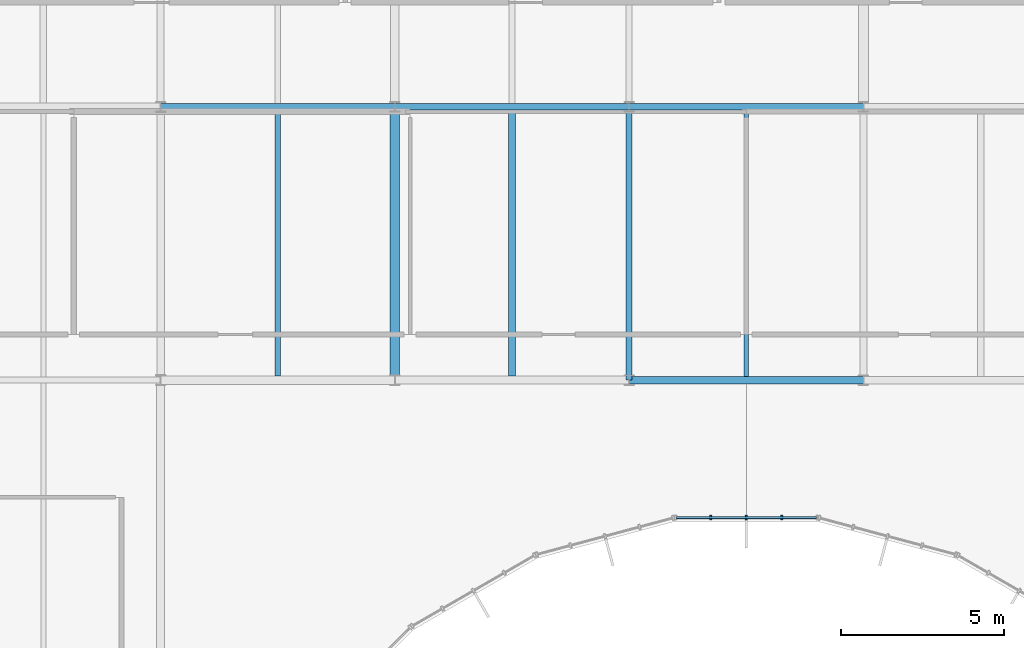
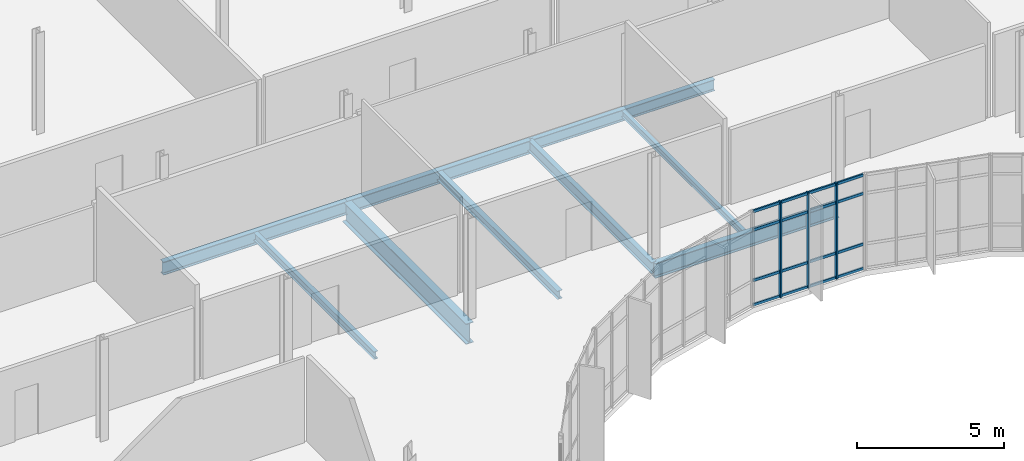
# One storey, part 56 of 119: 9 beams, 7 members, 1 element without a shape of its own.
"""IFC4 building model written with IfcOpenShell, lengths in metres."""

import ifcopenshell
import ifcopenshell.guid

model = None  # the IFC model being written
_history = None  # IfcOwnerHistory: only IFC2X3 demands one
_inside = {}  # id of a spatial element -> (the spatial element, [elements in it])
_under = {}  # id of a project, library or spatial element -> (it, [spatial elements below it])
_declared = {}  # id of a project -> (the project, [libraries it declares])
_typed = {}  # id of a type object -> (the type object, [elements of that type])
_made_of = {}  # id of a material, layer set ... -> (it, [elements and type objects made of it])


def new_model(schema):
    """Start an empty IFC model of exactly this schema.

    Asked for "IFC4X3", IfcOpenShell would pick the latest addendum, in which some entities
    have other attributes; the version numbers below select the first issue.
    IFC2X3 requires an IfcOwnerHistory on every rooted entity: one is made here for all.
    """
    global model, _history
    if schema == "IFC4X3":
        model = ifcopenshell.file(schema_version=(4, 3, 0, 0))
    else:
        model = ifcopenshell.file(schema=schema)
    _inside.clear()
    _under.clear()
    _declared.clear()
    _typed.clear()
    _made_of.clear()
    _history = None
    if model.schema == "IFC2X3":
        org = make("IfcOrganization", Name="unknown")
        user = make(
            "IfcPersonAndOrganization",
            ThePerson=make("IfcPerson", FamilyName="unknown"),
            TheOrganization=org,
        )
        app = make(
            "IfcApplication",
            ApplicationDeveloper=org,
            Version="unknown",
            ApplicationFullName="unknown",
            ApplicationIdentifier="unknown",
        )
        _history = make(
            "IfcOwnerHistory",
            OwningUser=user,
            OwningApplication=app,
            ChangeAction="ADDED",
            CreationDate=0,
        )
    return model


def make(cls, **values):
    """One entity of the class cls with the attributes given. An attribute that is None is left unset."""
    return model.create_entity(
        cls, **{name: value for name, value in values.items() if value is not None}
    )


def rooted(cls, **values):
    """An entity with a GlobalId (a new one), such as an element, a storey or a relation."""
    return make(cls, GlobalId=ifcopenshell.guid.new(), OwnerHistory=_history, **values)


def si_unit(unit_type, name, prefix=None):
    """IfcSIUnit, for example si_unit("LENGTHUNIT", "METRE", prefix="MILLI")."""
    return make("IfcSIUnit", UnitType=unit_type, Prefix=prefix, Name=name)


def assignment(units):
    """IfcUnitAssignment: the units of a project."""
    return None if units is None else make("IfcUnitAssignment", Units=units)


def point(xyz):
    """IfcCartesianPoint."""
    return None if xyz is None else make("IfcCartesianPoint", Coordinates=xyz)


def direction(xyz):
    """IfcDirection."""
    return None if xyz is None else make("IfcDirection", DirectionRatios=xyz)


def frame(location, z_axis=None, x_axis=None):
    """IfcAxis2Placement3D, a coordinate frame: its origin and axes. An axis left out is left unset."""
    return make(
        "IfcAxis2Placement3D",
        Location=point(location),
        Axis=direction(z_axis),
        RefDirection=direction(x_axis),
    )


def frame_2d(location, x_axis=None):
    """IfcAxis2Placement2D, a coordinate frame in the plane: its origin and x axis."""
    return make(
        "IfcAxis2Placement2D", Location=point(location), RefDirection=direction(x_axis)
    )


def origin():
    """The frame at (0, 0, 0) with its axes left unset."""
    return frame((0.0, 0.0, 0.0))


def origin_2d():
    """The frame at (0, 0) in the plane with its x axis left unset."""
    return frame_2d((0.0, 0.0))


def place(relative_to, where):
    """IfcLocalPlacement: puts the frame where relative to a parent placement (None: the world)."""
    return make(
        "IfcLocalPlacement", PlacementRelTo=relative_to, RelativePlacement=where
    )


def context(
    kind, dimensions, precision=None, world=None, true_north=None, identifier=None
):
    """IfcGeometricRepresentationContext, for example the 3D "Model" context."""
    return make(
        "IfcGeometricRepresentationContext",
        ContextIdentifier=identifier,
        ContextType=kind,
        CoordinateSpaceDimension=dimensions,
        Precision=precision,
        WorldCoordinateSystem=world,
        TrueNorth=true_north,
    )


def subcontext(parent, identifier, kind, view, scale=None):
    """IfcGeometricRepresentationSubContext, for example "Body" below "Model"."""
    return make(
        "IfcGeometricRepresentationSubContext",
        ContextIdentifier=identifier,
        ContextType=kind,
        ParentContext=parent,
        TargetScale=scale,
        TargetView=view,
    )


def project(units=None, contexts=None):
    """IfcProject with its units and contexts."""
    return rooted(
        "IfcProject",
        Name="project",
        RepresentationContexts=contexts,
        UnitsInContext=assignment(units),
    )


def spatial(cls, under=None, at=None, **own):
    """A site, building, storey or space (cls), placed at a placement, below another one or the project."""
    s = rooted(cls, ObjectPlacement=at, **own)
    if under is not None:
        _under.setdefault(under.id(), (under, []))[1].append(s)
    return s


def profile(cls, at=None, kind="AREA", **sizes):
    """A parametric profile (cls). Its sizes go by their IFC names, for example OverallWidth=200.0."""
    return make(cls, ProfileType=kind, Position=at, **sizes)


def rectangle(**sizes):
    """IfcRectangleProfileDef."""
    return profile("IfcRectangleProfileDef", **sizes)


def i_section(**sizes):
    """IfcIShapeProfileDef."""
    return profile("IfcIShapeProfileDef", **sizes)


def extrude(swept, where, along, depth):
    """IfcExtrudedAreaSolid: the profile swept, set in the frame where, extruded along a direction by depth."""
    return make(
        "IfcExtrudedAreaSolid",
        SweptArea=swept,
        Position=where,
        ExtrudedDirection=direction(along),
        Depth=depth,
    )


def shape(context_of_items, identifier, shape_type, items):
    """IfcShapeRepresentation: the items that make up one representation, for example the "Body"."""
    return make(
        "IfcShapeRepresentation",
        ContextOfItems=context_of_items,
        RepresentationIdentifier=identifier,
        RepresentationType=shape_type,
        Items=items,
    )


def material(Name=None, Category=None):
    """IfcMaterial."""
    return make("IfcMaterial", Name=Name, Category=Category)


def material_profile(
    of_material, cross_section, Name=None, Category=None, Priority=None
):
    """IfcMaterialProfile: a cross section and its material."""
    return make(
        "IfcMaterialProfile",
        Name=Name,
        Material=of_material,
        Profile=cross_section,
        Priority=Priority,
        Category=Category,
    )


def profile_set(profiles, Name=None, composite=None):
    """IfcMaterialProfileSet."""
    return make(
        "IfcMaterialProfileSet",
        Name=Name,
        MaterialProfiles=profiles,
        CompositeProfile=composite,
    )


def made_of(thing, what):
    """Note that an element or type object is made of a material, layer set ...; save() writes the relation."""
    if what is not None:
        _made_of.setdefault(what.id(), (what, []))[1].append(thing)
    return thing


def type_object(cls, material=None, **own):
    """A type object (cls), such as IfcWallType, which elements share."""
    return made_of(rooted(cls, **own), material)


def element(
    cls,
    number,
    at=None,
    inside=None,
    cuts=None,
    type_object=None,
    material=None,
    context=None,
    identifier="Body",
    shape_type=None,
    held_by="IfcProductDefinitionShape",
    body=None,
    shapes=None,
    **own,
):
    """One element of the class cls, such as IfcWall. Its Tag is "e" and its number.

    at: its placement. inside: the storey or other place that contains it. cuts: it is an
    opening in that element (IfcRelVoidsElement). A single representation is given by context,
    identifier, shape_type and body (its items); several are given by shapes. held_by: the class
    of the entity that holds the representations. save() writes the other relations.
    """
    e = rooted(cls, Tag="e%d" % number, ObjectPlacement=at, **own)
    if body is not None:
        shapes = [shape(context, identifier, shape_type, body)]
    if shapes is not None:
        e.Representation = make(held_by, Representations=shapes)
    if inside is not None:
        _inside.setdefault(inside.id(), (inside, []))[1].append(e)
    if cuts is not None:
        rooted(
            "IfcRelVoidsElement", RelatingBuildingElement=cuts, RelatedOpeningElement=e
        )
    if type_object is not None:
        _typed.setdefault(type_object.id(), (type_object, []))[1].append(e)
    return made_of(e, material)


def aggregate(whole, parts):
    """IfcRelAggregates: a whole, such as a stair, and the parts it consists of."""
    return rooted("IfcRelAggregates", RelatingObject=whole, RelatedObjects=parts)


def save(model, path):
    """Write the relations noted so far, then the file.

    IfcRelAggregates (storeys below a building ...), IfcRelContainedInSpatialStructure (elements
    in a storey), IfcRelDefinesByType, IfcRelAssociatesMaterial and IfcRelDeclares: one each for
    every whole, place, type object, material and project.
    """
    for whole, parts in _under.values():
        aggregate(whole, parts)
    for where, things in _inside.values():
        rooted(
            "IfcRelContainedInSpatialStructure",
            RelatedElements=things,
            RelatingStructure=where,
        )
    for kind, things in _typed.values():
        rooted("IfcRelDefinesByType", RelatedObjects=things, RelatingType=kind)
    for what, things in _made_of.values():
        rooted("IfcRelAssociatesMaterial", RelatedObjects=things, RelatingMaterial=what)
    for by, libraries in _declared.values():
        rooted("IfcRelDeclares", RelatingContext=by, RelatedDefinitions=libraries)
    model.write(path)


model = new_model("IFC4")

# Units and contexts
model_context = context("Model", 3, precision=1e-05, world=origin(), true_north=direction((0.0, 1.0)))
body_context = subcontext(model_context, "Body", "Model", "MODEL_VIEW")
ifc_project = project(units=[si_unit("LENGTHUNIT", "METRE"), si_unit("AREAUNIT", "SQUARE_METRE"), si_unit("VOLUMEUNIT", "CUBIC_METRE"), si_unit("PLANEANGLEUNIT", "RADIAN"), si_unit("MASSUNIT", "GRAM", prefix="KILO")], contexts=[model_context])

# Site, building, storey
site_placement = place(None, origin())
site = spatial("IfcSite", under=ifc_project, at=site_placement, CompositionType="ELEMENT")
building_placement = place(site_placement, origin())
building = spatial("IfcBuilding", under=site, at=building_placement, Name="Qelthora Terrace Specialist Clinic", CompositionType="ELEMENT")
storey_placement = place(building_placement, frame((0.0, 0.0, 4.800048828125)))
storey = spatial("IfcBuildingStorey", under=building, at=storey_placement, Name="L01", CompositionType="ELEMENT", Elevation=4.800048828125)

# Beams
ifc_material_1 = material(Name="Steel S355", Category="steel")
ifc_material_profile_1 = material_profile(ifc_material_1, i_section(OverallWidth=0.19091796875, OverallDepth=0.4599609375, WebThickness=0.010009765625, FlangeThickness=0.01611328125, FilletRadius=0.012939453125, at=origin_2d()), Name="W460X82")
ifc_profile_set_1 = profile_set([ifc_material_profile_1], Name="Steel S355")
beam_type_1 = type_object("IfcBeamType", Name="BM-W460X82", PredefinedType="BEAM", material=ifc_profile_set_1)
beam_1_placement = place(storey_placement, frame((122.39990234375, 84.0, -0.47998046875), z_axis=(0.0, 1.0, 0.0), x_axis=(-1.0, 0.0, 0.0)))
element("IfcBeam", 1, at=beam_1_placement, inside=storey, type_object=beam_type_1, Name="Girder BMY-L01-0498", PredefinedType="BEAM", context=body_context, shape_type="SweptSolid", body=[
    extrude(i_section(OverallWidth=0.19091796875, OverallDepth=0.4599609375, WebThickness=0.010009765625, FlangeThickness=0.01611328125, FilletRadius=0.012939453125, at=origin_2d()), origin(), (0.0, 0.0, 1.0), 8.39990234375),
])
ifc_material_profile_2 = material_profile(ifc_material_1, i_section(OverallWidth=0.193115234375, OverallDepth=0.466064453125, WebThickness=0.011474609375, FlangeThickness=0.01904296875, FilletRadius=0.012939453125, at=origin_2d()), Name="W460X97")
ifc_profile_set_2 = profile_set([ifc_material_profile_2], Name="Steel S355")
beam_type_2 = type_object("IfcBeamType", Name="BM-W460X97", PredefinedType="BEAM", material=ifc_profile_set_2)
beam_2_placement = place(storey_placement, frame((122.39990234375, 92.39990234375, -0.483154296875), z_axis=(1.0, 0.0, 0.0), x_axis=(0.0, 1.0, 0.0)))
element("IfcBeam", 2, at=beam_2_placement, inside=storey, type_object=beam_type_2, Name="Girder BMX-L01-0301", PredefinedType="BEAM", context=body_context, shape_type="SweptSolid", body=[
    extrude(i_section(OverallWidth=0.193115234375, OverallDepth=0.466064453125, WebThickness=0.011474609375, FlangeThickness=0.01904296875, FilletRadius=0.012939453125, at=origin_2d()), origin(), (0.0, 0.0, 1.0), 7.2001953125),
])
ifc_material_profile_3 = material_profile(ifc_material_1, i_section(OverallWidth=0.2099609375, OverallDepth=0.537109375, WebThickness=0.010986328125, FlangeThickness=0.017333984375, FilletRadius=0.013916015625, at=origin_2d()), Name="W530X101")
ifc_profile_set_3 = profile_set([ifc_material_profile_3], Name="Steel S355")
beam_type_3 = type_object("IfcBeamType", Name="BM-W530X101", PredefinedType="BEAM", material=ifc_profile_set_3)
beam_3_placement = place(storey_placement, frame((115.199951171875, 92.39990234375, -0.5185546875), z_axis=(1.0, 0.0, 0.0), x_axis=(0.0, 1.0, 0.0)))
element("IfcBeam", 3, at=beam_3_placement, inside=storey, type_object=beam_type_3, Name="Girder BMX-L01-0300", PredefinedType="BEAM", context=body_context, shape_type="SweptSolid", body=[
    extrude(i_section(OverallWidth=0.2099609375, OverallDepth=0.537109375, WebThickness=0.010986328125, FlangeThickness=0.017333984375, FilletRadius=0.013916015625, at=origin_2d()), origin(), (0.0, 0.0, 1.0), 7.199951171875),
])
ifc_material_profile_4 = material_profile(ifc_material_1, i_section(OverallWidth=0.2119140625, OverallDepth=0.5439453125, WebThickness=0.01318359375, FlangeThickness=0.021240234375, FilletRadius=0.013916015625, at=origin_2d()), Name="W530X123")
ifc_profile_set_4 = profile_set([ifc_material_profile_4], Name="Steel S355")
beam_type_4 = type_object("IfcBeamType", Name="BM-W530X123", PredefinedType="BEAM", material=ifc_profile_set_4)
beam_4_placement = place(storey_placement, frame((108.0, 92.39990234375, -0.52197265625), z_axis=(1.0, 0.0, 0.0), x_axis=(0.0, 1.0, 0.0)))
element("IfcBeam", 4, at=beam_4_placement, inside=storey, type_object=beam_type_4, Name="Girder BMX-L01-0299", PredefinedType="BEAM", context=body_context, shape_type="SweptSolid", body=[
    extrude(i_section(OverallWidth=0.2119140625, OverallDepth=0.5439453125, WebThickness=0.01318359375, FlangeThickness=0.021240234375, FilletRadius=0.013916015625, at=origin_2d()), origin(), (0.0, 0.0, 1.0), 7.199951171875),
])
ifc_material_profile_5 = material_profile(ifc_material_1, i_section(OverallWidth=0.22998046875, OverallDepth=0.616943359375, WebThickness=0.01318359375, FlangeThickness=0.022216796875, FilletRadius=0.01611328125, at=origin_2d()), Name="W610X140")
ifc_profile_set_5 = profile_set([ifc_material_profile_5], Name="Steel S355")
beam_type_5 = type_object("IfcBeamType", Name="BM-W610X140", PredefinedType="BEAM", material=ifc_profile_set_5)
beam_5_placement = place(storey_placement, frame((122.39990234375, 84.0, -0.55859375), z_axis=(1.0, 0.0, 0.0), x_axis=(0.0, 1.0, 0.0)))
element("IfcBeam", 5, at=beam_5_placement, inside=storey, type_object=beam_type_5, Name="Girder BMX-L01-0283", PredefinedType="BEAM", context=body_context, shape_type="SweptSolid", body=[
    extrude(i_section(OverallWidth=0.22998046875, OverallDepth=0.616943359375, WebThickness=0.01318359375, FlangeThickness=0.022216796875, FilletRadius=0.01611328125, at=origin_2d()), origin(), (0.0, 0.0, 1.0), 7.2001953125),
])
ifc_material_profile_6 = material_profile(ifc_material_1, i_section(OverallWidth=0.2939453125, OverallDepth=0.85107421875, WebThickness=0.01611328125, FlangeThickness=0.02685546875, FilletRadius=0.02001953125, at=origin_2d()), Name="W840X226")
ifc_profile_set_6 = profile_set([ifc_material_profile_6], Name="Steel S355")
beam_type_6 = type_object("IfcBeamType", Name="BM-W840X226", PredefinedType="BEAM", material=ifc_profile_set_6)
beam_6_placement = place(storey_placement, frame((115.199951171875, 84.0, -0.675537109375), z_axis=(0.0, 1.0, 0.0), x_axis=(-1.0, 0.0, 0.0)))
element("IfcBeam", 6, at=beam_6_placement, inside=storey, type_object=beam_type_6, Name="Girder BMY-L01-0491", PredefinedType="BEAM", context=body_context, shape_type="SweptSolid", body=[
    extrude(i_section(OverallWidth=0.2939453125, OverallDepth=0.85107421875, WebThickness=0.01611328125, FlangeThickness=0.02685546875, FilletRadius=0.02001953125, at=origin_2d()), origin(), (0.0, 0.0, 1.0), 8.39990234375),
])

# Curtain wall, members
ifc_material_2 = material(Name="Aluminium anodized bronze", Category="aluminium")
curtain_wall_type = type_object("IfcCurtainWallType", Name="CW-CRTE-UPP", PredefinedType="NOTDEFINED", material=ifc_material_2)
curtain_wall_placement = place(storey_placement, origin())
curtain_wall = element("IfcCurtainWall", 7, at=curtain_wall_placement, inside=storey, type_object=curtain_wall_type, Name="Curtain wall CW-CE-L01-06", PredefinedType="NOTDEFINED")
ifc_material_profile_7 = material_profile(ifc_material_2, rectangle(XDim=0.06005859375, YDim=0.14990234375, at=origin_2d()), Name="CWM60X150")
ifc_profile_set_7 = profile_set([ifc_material_profile_7], Name="Aluminium anodized bronze")
member_type_1 = type_object("IfcMemberType", Name="CWM-60X150", PredefinedType="MULLION", material=ifc_profile_set_7)
member_1_placement = place(storey_placement, frame((127.096435546875, 79.7763671875, 0.0), z_axis=(0.0, 0.0, 1.0), x_axis=(-1.0, 0.0, 0.0)))
member_1 = element("IfcMember", 8, at=member_1_placement, type_object=member_type_1, Name="CW-CE-L01-06 mullion 2", PredefinedType="MULLION", context=body_context, shape_type="SweptSolid", body=[
    extrude(rectangle(XDim=0.06005859375, YDim=0.14990234375, at=origin_2d()), origin(), (0.0, 0.0, 1.0), 3.945068359375),
])
member_2_placement = place(storey_placement, frame((126.0, 79.7763671875, 0.0), z_axis=(0.0, 0.0, 1.0), x_axis=(-1.0, 0.0, 0.0)))
member_2 = element("IfcMember", 9, at=member_2_placement, type_object=member_type_1, Name="CW-CE-L01-06 mullion 3", PredefinedType="MULLION", context=body_context, shape_type="SweptSolid", body=[
    extrude(rectangle(XDim=0.06005859375, YDim=0.14990234375, at=origin_2d()), origin(), (0.0, 0.0, 1.0), 3.945068359375),
])
member_3_placement = place(storey_placement, frame((124.903564453125, 79.7763671875, 0.0), z_axis=(0.0, 0.0, 1.0), x_axis=(-1.0, 0.0, 0.0)))
member_3 = element("IfcMember", 10, at=member_3_placement, type_object=member_type_1, Name="CW-CE-L01-06 mullion 4", PredefinedType="MULLION", context=body_context, shape_type="SweptSolid", body=[
    extrude(rectangle(XDim=0.06005859375, YDim=0.14990234375, at=origin_2d()), origin(), (0.0, 0.0, 1.0), 3.945068359375),
])
ifc_material_profile_8 = material_profile(ifc_material_2, rectangle(XDim=0.06005859375, YDim=0.110107421875, at=origin_2d()), Name="CWT60X110")
ifc_profile_set_8 = profile_set([ifc_material_profile_8], Name="Aluminium anodized bronze")
member_type_2 = type_object("IfcMemberType", Name="CWT-60X110", PredefinedType="USERDEFINED", material=ifc_profile_set_8)
member_4_placement = place(storey_placement, frame((128.15283203125, 79.7763671875, 0.0400390625), z_axis=(-1.0, 0.0, 0.0), x_axis=(0.0, -1.0, 0.0)))
member_4 = element("IfcMember", 11, at=member_4_placement, type_object=member_type_2, Name="CW-CE-L01-06 transom 1", ObjectType="TRANSOM", PredefinedType="USERDEFINED", context=body_context, shape_type="SweptSolid", body=[
    extrude(rectangle(XDim=0.06005859375, YDim=0.110107421875, at=origin_2d()), origin(), (0.0, 0.0, 1.0), 4.3056640625),
])
member_5_placement = place(storey_placement, frame((128.15283203125, 79.7763671875, 1.050048828125), z_axis=(-1.0, 0.0, 0.0), x_axis=(0.0, -1.0, 0.0)))
member_5 = element("IfcMember", 12, at=member_5_placement, type_object=member_type_2, Name="CW-CE-L01-06 transom 2", ObjectType="TRANSOM", PredefinedType="USERDEFINED", context=body_context, shape_type="SweptSolid", body=[
    extrude(rectangle(XDim=0.06005859375, YDim=0.110107421875, at=origin_2d()), origin(), (0.0, 0.0, 1.0), 4.3056640625),
])
member_6_placement = place(storey_placement, frame((128.15283203125, 79.7763671875, 3.14501953125), z_axis=(-1.0, 0.0, 0.0), x_axis=(0.0, -1.0, 0.0)))
member_6 = element("IfcMember", 13, at=member_6_placement, type_object=member_type_2, Name="CW-CE-L01-06 transom 3", ObjectType="TRANSOM", PredefinedType="USERDEFINED", context=body_context, shape_type="SweptSolid", body=[
    extrude(rectangle(XDim=0.06005859375, YDim=0.110107421875, at=origin_2d()), origin(), (0.0, 0.0, 1.0), 4.3056640625),
])
member_7_placement = place(storey_placement, frame((128.15283203125, 79.7763671875, 3.905029296875), z_axis=(-1.0, 0.0, 0.0), x_axis=(0.0, -1.0, 0.0)))
member_7 = element("IfcMember", 14, at=member_7_placement, type_object=member_type_2, Name="CW-CE-L01-06 transom 4", ObjectType="TRANSOM", PredefinedType="USERDEFINED", context=body_context, shape_type="SweptSolid", body=[
    extrude(rectangle(XDim=0.06005859375, YDim=0.110107421875, at=origin_2d()), origin(), (0.0, 0.0, 1.0), 4.3056640625),
])
aggregate(curtain_wall, [member_1, member_2, member_3, member_4, member_5, member_6, member_7])

# Beams
ifc_material_profile_9 = material_profile(ifc_material_1, i_section(OverallWidth=0.14697265625, OverallDepth=0.261962890625, WebThickness=0.006591796875, FlangeThickness=0.01123046875, FilletRadius=0.009033203125, at=origin_2d()), Name="W250X39")
ifc_profile_set_9 = profile_set([ifc_material_profile_9], Name="Steel S355")
beam_type_7 = type_object("IfcBeamType", Name="JST-W250X39", PredefinedType="JOIST", material=ifc_profile_set_9)
beam_7_placement = place(storey_placement, frame((126.0, 84.114990234375, -0.381103515625), z_axis=(0.0, 1.0, 0.0), x_axis=(-1.0, 0.0, 0.0)))
element("IfcBeam", 15, at=beam_7_placement, inside=storey, type_object=beam_type_7, Name="Composite floor joist JST-L01-0131", PredefinedType="JOIST", context=body_context, shape_type="SweptSolid", body=[
    extrude(i_section(OverallWidth=0.14697265625, OverallDepth=0.261962890625, WebThickness=0.006591796875, FlangeThickness=0.01123046875, FilletRadius=0.009033203125, at=origin_2d()), origin(), (0.0, 0.0, 1.0), 8.1884765625),
])
ifc_material_profile_10 = material_profile(ifc_material_1, i_section(OverallWidth=0.1669921875, OverallDepth=0.31689453125, WebThickness=0.007568359375, FlangeThickness=0.01318359375, FilletRadius=0.010009765625, at=origin_2d()), Name="W310X52")
ifc_profile_set_10 = profile_set([ifc_material_profile_10], Name="Steel S355")
beam_type_8 = type_object("IfcBeamType", Name="JST-W310X52", PredefinedType="JOIST", material=ifc_profile_set_10)
beam_8_placement = place(storey_placement, frame((111.60009765625, 84.1279296875, -0.408447265625), z_axis=(0.0, 1.0, 0.0), x_axis=(-1.0, 0.0, 0.0)))
element("IfcBeam", 16, at=beam_8_placement, inside=storey, type_object=beam_type_8, Name="Composite floor joist JST-L01-0123", PredefinedType="JOIST", context=body_context, shape_type="SweptSolid", body=[
    extrude(i_section(OverallWidth=0.1669921875, OverallDepth=0.31689453125, WebThickness=0.007568359375, FlangeThickness=0.01318359375, FilletRadius=0.010009765625, at=origin_2d()), origin(), (0.0, 0.0, 1.0), 8.166015625),
])
ifc_material_profile_11 = material_profile(ifc_material_1, i_section(OverallWidth=0.202880859375, OverallDepth=0.346923828125, WebThickness=0.0078125, FlangeThickness=0.013427734375, FilletRadius=0.010986328125, at=origin_2d()), Name="W360X64")
ifc_profile_set_11 = profile_set([ifc_material_profile_11], Name="Steel S355")
beam_type_9 = type_object("IfcBeamType", Name="JST-W360X64", PredefinedType="JOIST", material=ifc_profile_set_11)
beam_9_placement = place(storey_placement, frame((118.800048828125, 84.126953125, -0.423583984375), z_axis=(0.0, 1.0, 0.0), x_axis=(-1.0, 0.0, 0.0)))
element("IfcBeam", 17, at=beam_9_placement, inside=storey, type_object=beam_type_9, Name="Composite floor joist JST-L01-0127", PredefinedType="JOIST", context=body_context, shape_type="SweptSolid", body=[
    extrude(i_section(OverallWidth=0.202880859375, OverallDepth=0.346923828125, WebThickness=0.0078125, FlangeThickness=0.013427734375, FilletRadius=0.010986328125, at=origin_2d()), origin(), (0.0, 0.0, 1.0), 8.16796875),
])

save(model, "model.ifc")
